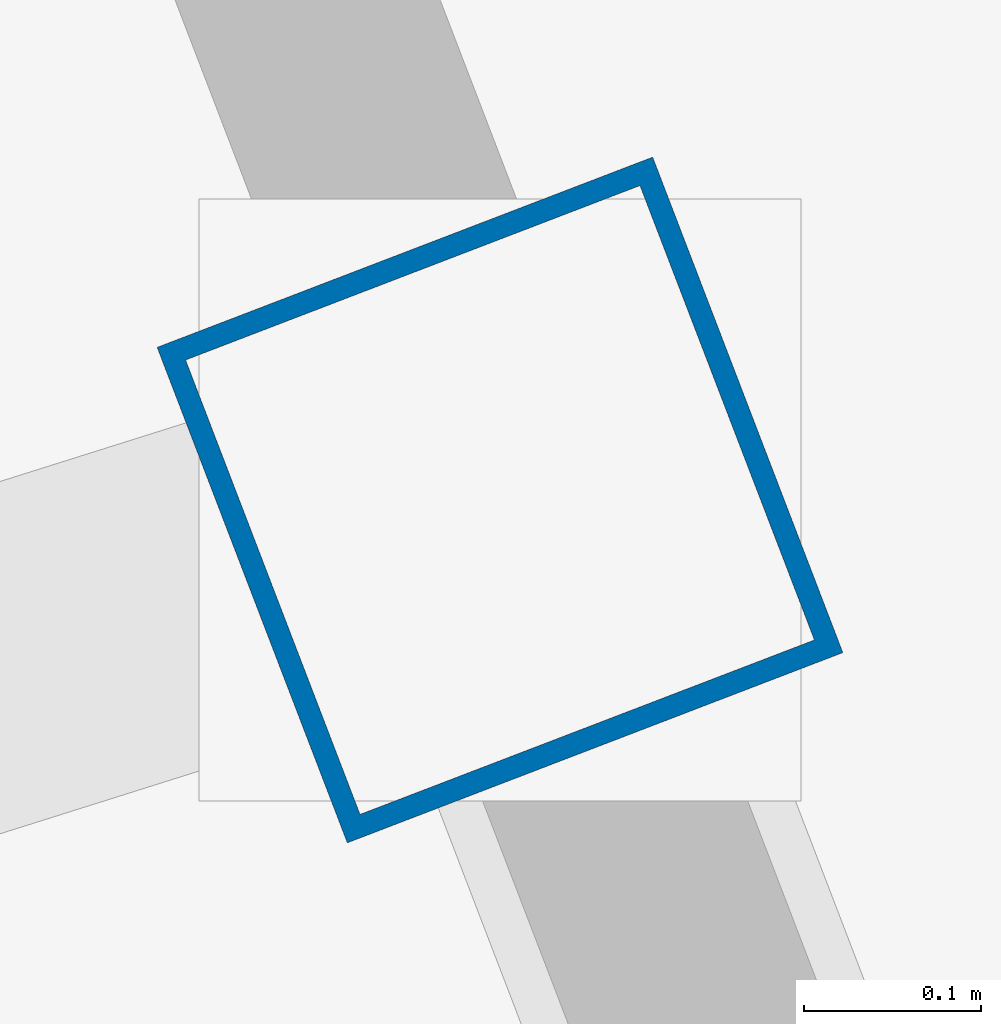
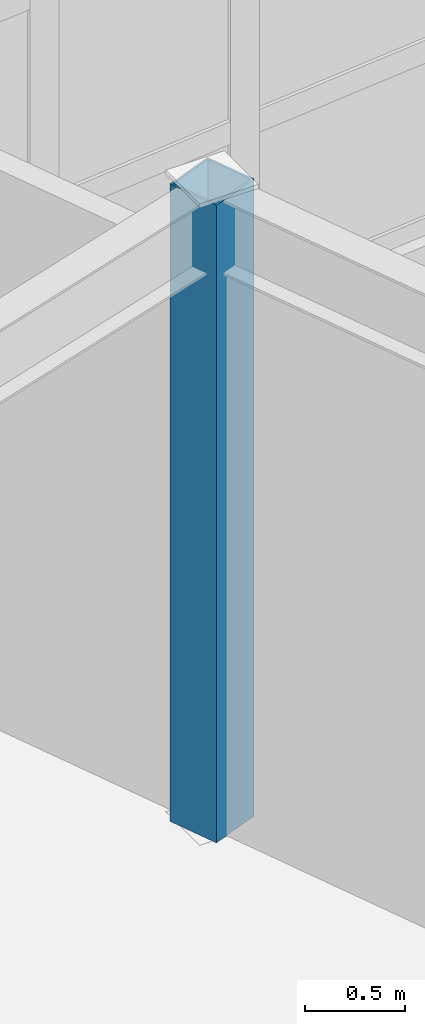
# One storey, part 6 of 60: 1 column.
"""IFC4 building model written with IfcOpenShell, lengths in metres."""

from ifc_helpers import new_model, si_unit, direction, frame, origin, origin_2d, place, context, subcontext, project, spatial, hollow_rectangle, extrude, material, material_profile, profile_set, type_object, element, save


model = new_model("IFC4")

# Units and contexts
model_context = context("Model", 3, precision=1e-05, world=origin(), true_north=direction((0.0, 1.0)))
body_context = subcontext(model_context, "Body", "Model", "MODEL_VIEW")
ifc_project = project(units=[si_unit("LENGTHUNIT", "METRE"), si_unit("AREAUNIT", "SQUARE_METRE"), si_unit("VOLUMEUNIT", "CUBIC_METRE"), si_unit("PLANEANGLEUNIT", "RADIAN"), si_unit("MASSUNIT", "GRAM", prefix="KILO")], contexts=[model_context])

# Site, building, storey
site_placement = place(None, origin())
site = spatial("IfcSite", under=ifc_project, at=site_placement, CompositionType="ELEMENT")
building_placement = place(site_placement, origin())
building = spatial("IfcBuilding", under=site, at=building_placement, Name="Tarnwether General Hospital", CompositionType="ELEMENT")
storey_placement = place(building_placement, frame((0.0, 0.0, 26.10009765625)))
storey = spatial("IfcBuildingStorey", under=building, at=storey_placement, Name="L06", CompositionType="ELEMENT", Elevation=26.10009765625)

# Column
ifc_material = material(Name="Steel Grade C350L0 (350 MPa)", Category="steel")
ifc_material_profile = material_profile(ifc_material, hollow_rectangle(XDim=0.300048828125, YDim=0.300048828125, WallThickness=0.012451171875, at=origin_2d()), Name="SHS300x300x12.5")
ifc_profile_set = profile_set([ifc_material_profile], Name="Steel Grade C350L0 (350 MPa)")
column_type = type_object("IfcColumnType", Name="COL-30", PredefinedType="COLUMN", material=ifc_profile_set)
column_placement = place(storey_placement, frame((108.054931640625, 21.176025390625, 0.0), z_axis=(0.0, 0.0, 1.0), x_axis=(-0.358367949545, 0.933580426497, 0.0)))
element("IfcColumn", 1, at=column_placement, inside=storey, type_object=column_type, Name="Column COLG-L06-10806_2118", PredefinedType="COLUMN", context=body_context, shape_type="SweptSolid", body=[
    extrude(hollow_rectangle(XDim=0.300048828125, YDim=0.300048828125, WallThickness=0.012451171875, at=origin_2d()), origin(), (0.0, 0.0, 1.0), 3.89990234375),
])

save(model, "model.ifc")
